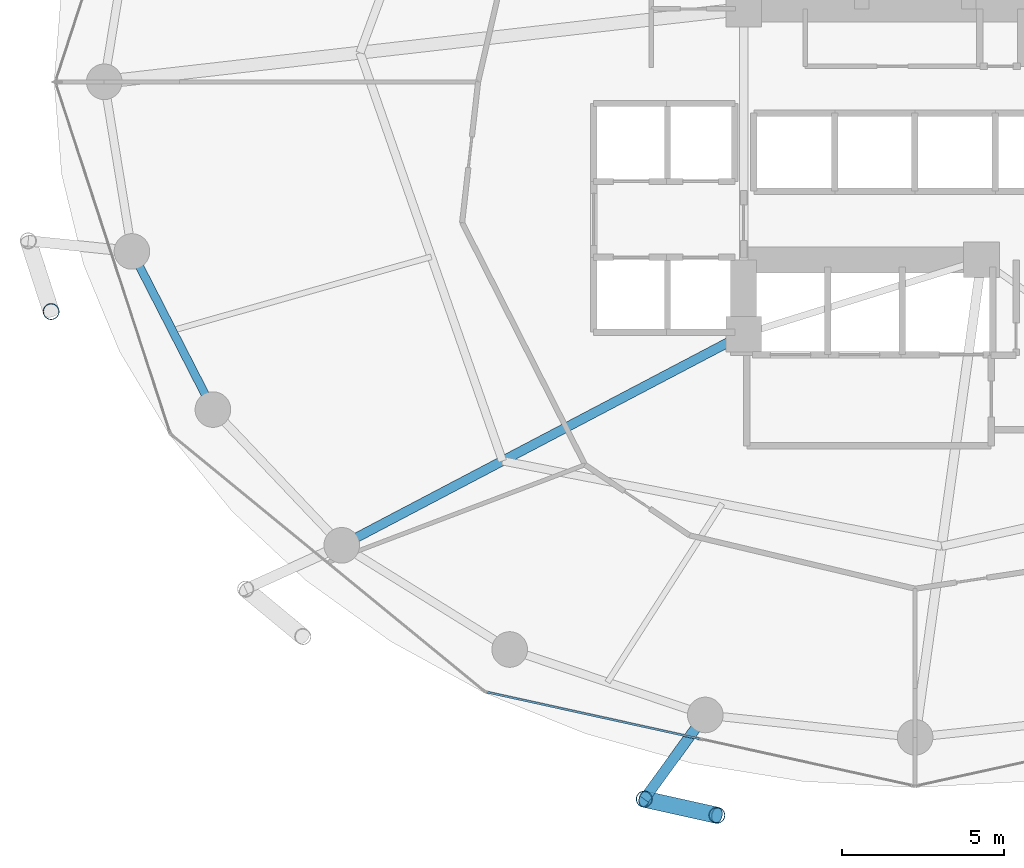
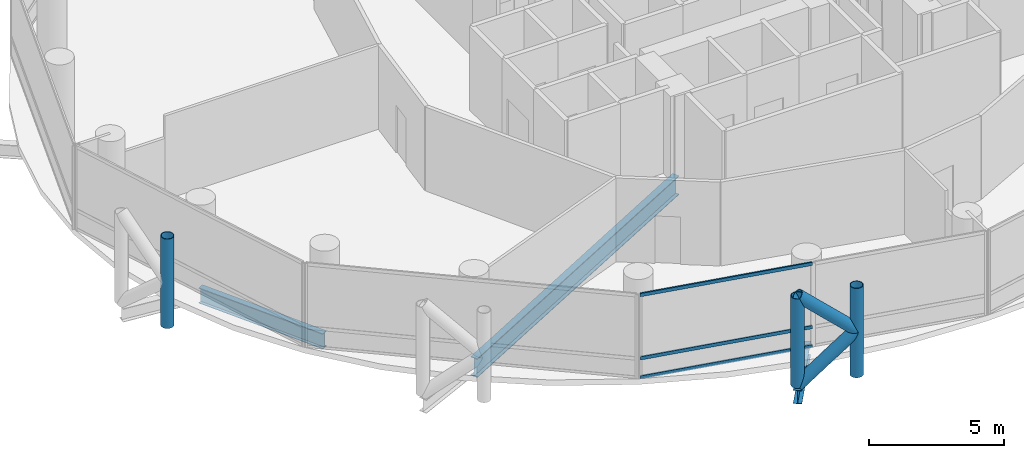
# One storey, part 3 of 26: 8 members, 3 beams, 1 element without a shape of its own.
"""IFC4 building model written with IfcOpenShell, lengths in metres."""

from ifc_helpers import new_model, si_unit, direction, frame, origin, origin_2d, place, context, subcontext, project, spatial, hollow_rectangle, hollow_circle, i_section, extrude, material, layer, layer_set, material_profile, profile_set, type_object, element, aggregate, save


model = new_model("IFC4")

# Units and contexts
model_context = context("Model", 3, precision=1e-05, world=origin(), true_north=direction((0.0, 1.0)))
body_context = subcontext(model_context, "Body", "Model", "MODEL_VIEW")
ifc_project = project(units=[si_unit("LENGTHUNIT", "METRE"), si_unit("AREAUNIT", "SQUARE_METRE"), si_unit("VOLUMEUNIT", "CUBIC_METRE"), si_unit("PLANEANGLEUNIT", "RADIAN"), si_unit("MASSUNIT", "GRAM", prefix="KILO")], contexts=[model_context])

# Site, building, storey
site_placement = place(None, origin())
site = spatial("IfcSite", under=ifc_project, at=site_placement, CompositionType="ELEMENT")
building_placement = place(site_placement, origin())
building = spatial("IfcBuilding", under=site, at=building_placement, Name="Nuhasar Tower", CompositionType="ELEMENT")
storey_placement = place(building_placement, frame((0.0, 0.0, 53.39990234375)))
storey = spatial("IfcBuildingStorey", under=building, at=storey_placement, Name="L12", CompositionType="ELEMENT", Elevation=53.39990234375)

# Beams
ifc_material_1 = material(Name="Steel S355", Category="steel")
ifc_material_profile_1 = material_profile(ifc_material_1, i_section(OverallWidth=0.2919921875, OverallDepth=0.85888671875, WebThickness=0.01708984375, FlangeThickness=0.031005859375, at=origin_2d()), Name="W33X169")
ifc_profile_set_1 = profile_set([ifc_material_profile_1], Name="Steel S355")
beam_type_1 = type_object("IfcBeamType", Name="BM-POD-W33X169", PredefinedType="BEAM", material=ifc_profile_set_1)
beam_1_placement = place(storey_placement, frame((33.699951171875, 19.0, -0.68896484375), z_axis=(-0.885330348705, -0.464962550816, 0.0), x_axis=(0.464962550816, -0.885330348705, 0.0)))
element("IfcBeam", 1, at=beam_1_placement, inside=storey, type_object=beam_type_1, Name="L12 Radial Floor Girder 01", PredefinedType="BEAM", context=body_context, shape_type="SweptSolid", body=[
    extrude(i_section(OverallWidth=0.2919921875, OverallDepth=0.85888671875, WebThickness=0.01708984375, FlangeThickness=0.031005859375, at=origin_2d()), origin(), (0.0, 0.0, 1.0), 14.0205078125),
])
ifc_material_profile_2 = material_profile(ifc_material_1, i_section(OverallWidth=0.256103515625, OverallDepth=0.693115234375, WebThickness=0.014404296875, FlangeThickness=0.023681640625, at=origin_2d()), Name="W27X114")
ifc_profile_set_2 = profile_set([ifc_material_profile_2], Name="Steel S355")
beam_type_2 = type_object("IfcBeamType", Name="BM-RING-W27X114", PredefinedType="SPANDREL", material=ifc_profile_set_2)
beam_2_placement = place(storey_placement, frame((14.803955078125, 21.55908203125, -0.60595703125), z_axis=(0.455930023905, -0.890015625314, 0.0), x_axis=(0.890015625314, 0.455930023905, 0.0)))
element("IfcBeam", 2, at=beam_2_placement, inside=storey, type_object=beam_type_2, Name="L12 Perimeter Ring Spandrel 14", PredefinedType="SPANDREL", context=body_context, shape_type="SweptSolid", body=[
    extrude(i_section(OverallWidth=0.256103515625, OverallDepth=0.693115234375, WebThickness=0.014404296875, FlangeThickness=0.023681640625, at=origin_2d()), origin(), (0.0, 0.0, 1.0), 5.487548828125),
])
ifc_material_profile_3 = material_profile(ifc_material_1, i_section(OverallWidth=0.323974609375, OverallDepth=0.611083984375, WebThickness=0.0126953125, FlangeThickness=0.01904296875, at=origin_2d()), Name="W24X104")
ifc_profile_set_3 = profile_set([ifc_material_profile_3], Name="Steel S355")
beam_type_3 = type_object("IfcBeamType", Name="BM-TIE-W24X104", PredefinedType="BEAM", material=ifc_profile_set_3)
beam_3_placement = place(storey_placement, frame((32.51708984375, 7.239990234375, -0.56591796875), z_axis=(-0.587403316448, -0.809294349311, 0.0), x_axis=(0.809294349311, -0.587403316448, 0.0)))
element("IfcBeam", 3, at=beam_3_placement, inside=storey, type_object=beam_type_3, Name="L12 Exoskeleton Node Tie Beam 09", PredefinedType="BEAM", context=body_context, shape_type="SweptSolid", body=[
    extrude(i_section(OverallWidth=0.323974609375, OverallDepth=0.611083984375, WebThickness=0.0126953125, FlangeThickness=0.01904296875, at=origin_2d()), origin(), (0.0, 0.0, 1.0), 3.212890625),
])

# Curtain wall, members
ifc_material_2 = material(Name="Aluminium 6063-T6", Category="aluminium")
ifc_layer = layer(ifc_material_2, 0.199951171875)
ifc_layer_set = layer_set([ifc_layer], Name="Aluminium 6063-T6")
curtain_wall_type = type_object("IfcCurtainWallType", Name="CW-Z1-OFF", PredefinedType="NOTDEFINED", material=ifc_layer_set)
curtain_wall_placement = place(storey_placement, origin())
curtain_wall = element("IfcCurtainWall", 4, at=curtain_wall_placement, inside=storey, type_object=curtain_wall_type, Name="L12 Unitised Curtain Wall 09", PredefinedType="NOTDEFINED")
ifc_material_profile_4 = material_profile(ifc_material_2, hollow_rectangle(XDim=0.06494140625, YDim=0.14990234375, WallThickness=0.00439453125, at=origin_2d()), Name="CWT-2")
ifc_profile_set_4 = profile_set([ifc_material_profile_4], Name="Aluminium 6063-T6")
member_type_1 = type_object("IfcMemberType", Name="CW-TRN-S2", PredefinedType="USERDEFINED", material=ifc_profile_set_4)
member_1_placement = place(storey_placement, frame((25.783447265625, 7.941162109375, 0.03271484375), z_axis=(0.976741923778, -0.214418316228, 0.0), x_axis=(0.214418316228, 0.976741923778, 0.0)))
member_1 = element("IfcMember", 5, at=member_1_placement, type_object=member_type_1, Name="CW-Z1 transom 1.1", ObjectType="TRANSOM", PredefinedType="USERDEFINED", context=body_context, shape_type="SweptSolid", body=[
    extrude(hollow_rectangle(XDim=0.06494140625, YDim=0.14990234375, WallThickness=0.00439453125, at=origin_2d()), origin(), (0.0, 0.0, 1.0), 6.70068359375),
])
member_2_placement = place(storey_placement, frame((25.783447265625, 7.941162109375, 0.900146484375), z_axis=(0.976741923778, -0.214418316228, 0.0), x_axis=(0.214418316228, 0.976741923778, 0.0)))
member_2 = element("IfcMember", 6, at=member_2_placement, type_object=member_type_1, Name="CW-Z1 transom 1.2", ObjectType="TRANSOM", PredefinedType="USERDEFINED", context=body_context, shape_type="SweptSolid", body=[
    extrude(hollow_rectangle(XDim=0.06494140625, YDim=0.14990234375, WallThickness=0.00439453125, at=origin_2d()), origin(), (0.0, 0.0, 1.0), 6.70068359375),
])
member_3_placement = place(storey_placement, frame((25.783447265625, 7.941162109375, 3.767578125), z_axis=(0.976741923778, -0.214418316228, 0.0), x_axis=(0.214418316228, 0.976741923778, 0.0)))
member_3 = element("IfcMember", 7, at=member_3_placement, type_object=member_type_1, Name="CW-Z1 transom 1.3", ObjectType="TRANSOM", PredefinedType="USERDEFINED", context=body_context, shape_type="SweptSolid", body=[
    extrude(hollow_rectangle(XDim=0.06494140625, YDim=0.14990234375, WallThickness=0.00439453125, at=origin_2d()), origin(), (0.0, 0.0, 1.0), 6.70068359375),
])
aggregate(curtain_wall, [member_1, member_2, member_3])

# Members
ifc_material_3 = material(Name="Steel S460", Category="steel")
ifc_material_profile_5 = material_profile(ifc_material_3, hollow_circle(Radius=0.25390625, WallThickness=0.025390625, at=origin_2d()), Name="HSS508X25.4")
ifc_profile_set_5 = profile_set([ifc_material_profile_5], Name="Steel S460")
member_type_2 = type_object("IfcMemberType", Name="EXO-BRONZE-508", PredefinedType="BRACE", material=ifc_profile_set_5)
for number, where, z_axis, x_axis, name in (
    (8, (12.30810546875, 19.700927734375, 0.0), (0.0, 0.0, 1.0), (1.0, 0.0, 0.0), "L12 Exoskeleton Chord Column EC-07B"),
    (9, (30.6298828125, 4.639892578125, 0.0), (0.0, 0.0, 1.0), (1.0, 0.0, 0.0), "L12 Exoskeleton Chord Column EC-09A"),
    (10, (32.8759765625, 4.14111328125, 0.0), (0.0, 0.0, 1.0), (1.0, 0.0, 0.0), "L12 Exoskeleton Chord Column EC-09B"),
):
    element("IfcMember", number, at=place(storey_placement, frame(where, z_axis=z_axis, x_axis=x_axis)), inside=storey, type_object=member_type_2, Name=name, PredefinedType="BRACE", context=body_context, shape_type="SweptSolid", body=[
        extrude(hollow_circle(Radius=0.25390625, WallThickness=0.025390625, at=origin_2d()), origin(), (0.0, 0.0, 1.0), 4.050048828125),
    ])
member_4_placement = place(storey_placement, frame((30.6298828125, 4.639892578125, 0.0), z_axis=(0.732792408767, -0.162727705556, 0.660707938122), x_axis=(0.216784396973, 0.976219506683, 0.0)))
element("IfcMember", 11, at=member_4_placement, inside=storey, type_object=member_type_2, Name="L12 Bronze Diagrid Brace W1-09", PredefinedType="BRACE", context=body_context, shape_type="SweptSolid", body=[
    extrude(hollow_circle(Radius=0.25390625, WallThickness=0.025390625, at=origin_2d()), origin(), (0.0, 0.0, 1.0), 3.065185546875),
])
member_5_placement = place(storey_placement, frame((32.8759765625, 4.14111328125, 2.025146484375), z_axis=(-0.732830973624, 0.162736269469, 0.66066305383), x_axis=(-0.216784396973, -0.976219506683, 0.0)))
element("IfcMember", 12, at=member_5_placement, inside=storey, type_object=member_type_2, Name="L12 Bronze Diagrid Brace W2-09", PredefinedType="BRACE", context=body_context, shape_type="SweptSolid", body=[
    extrude(hollow_circle(Radius=0.25390625, WallThickness=0.025390625, at=origin_2d()), origin(), (0.0, 0.0, 1.0), 3.06494140625),
])

save(model, "model.ifc")
